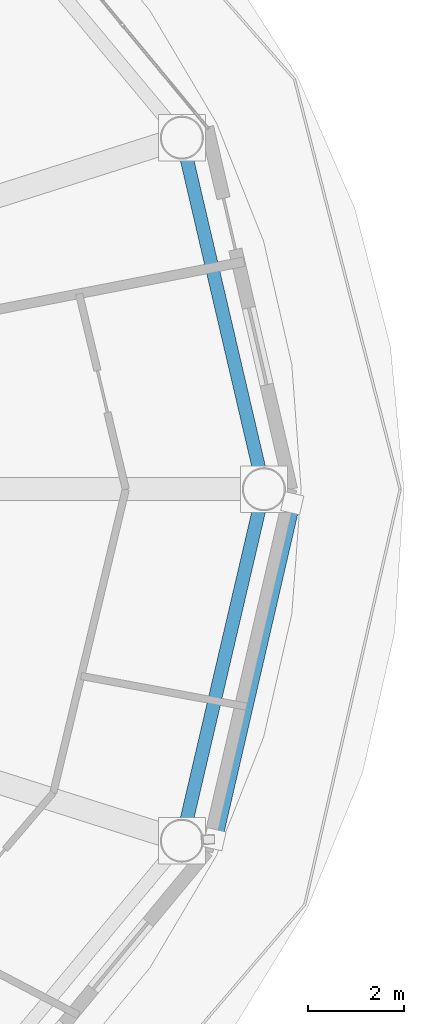
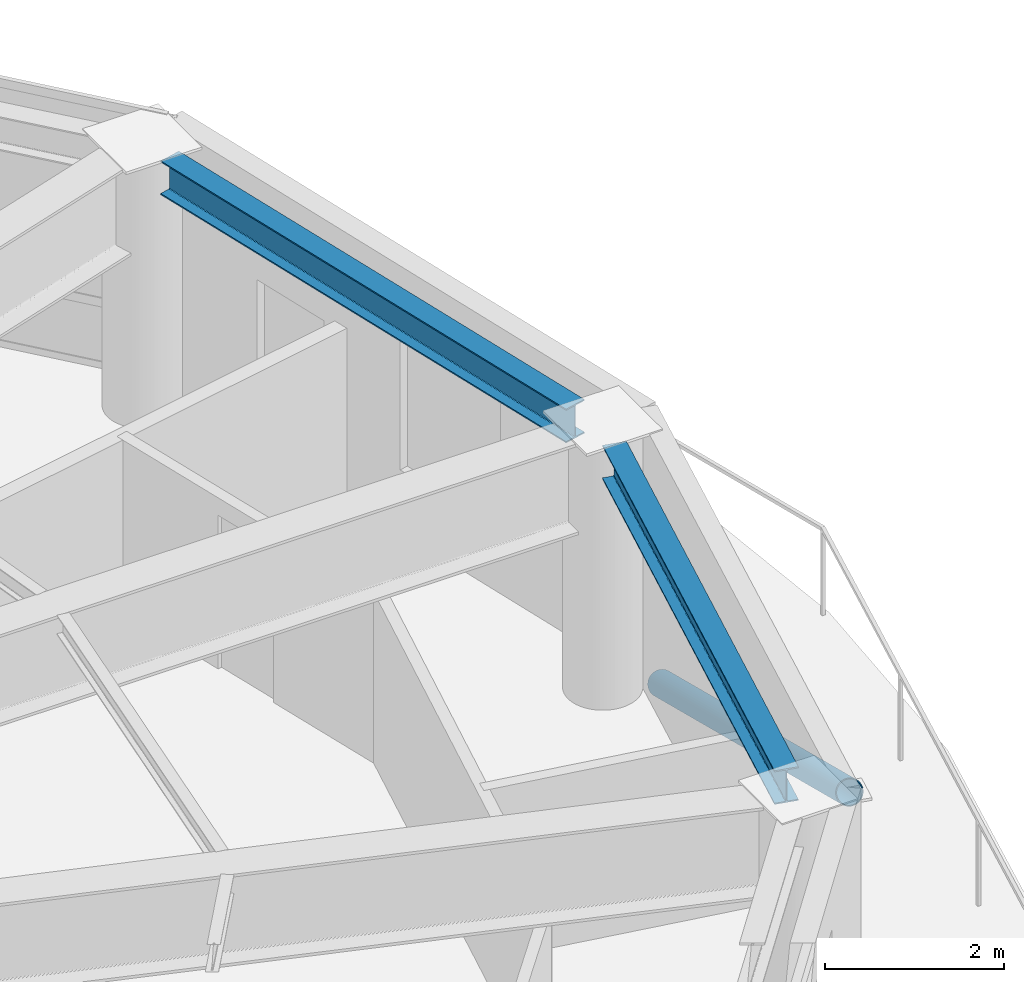
# One storey, part 10 of 24: 2 beams, 1 member.
"""IFC4 building model written with IfcOpenShell, lengths in metres."""

from ifc_helpers import new_model, si_unit, direction, frame, origin, origin_2d, place, context, subcontext, project, spatial, hollow_circle, i_section, extrude, material, material_profile, profile_set, type_object, element, save


model = new_model("IFC4")

# Units and contexts
model_context = context("Model", 3, precision=1e-05, world=origin(), true_north=direction((0.0, 1.0)))
body_context = subcontext(model_context, "Body", "Model", "MODEL_VIEW")
ifc_project = project(units=[si_unit("LENGTHUNIT", "METRE"), si_unit("AREAUNIT", "SQUARE_METRE"), si_unit("VOLUMEUNIT", "CUBIC_METRE"), si_unit("PLANEANGLEUNIT", "RADIAN"), si_unit("MASSUNIT", "GRAM", prefix="KILO")], contexts=[model_context])

# Site, building, storey
site_placement = place(None, origin())
site = spatial("IfcSite", under=ifc_project, at=site_placement, CompositionType="ELEMENT")
building_placement = place(site_placement, origin())
building = spatial("IfcBuilding", under=site, at=building_placement, Name="Sarneth Arch Tower", CompositionType="ELEMENT")
storey_placement = place(building_placement, frame((0.0, 0.0, 312.60009765625)))
storey = spatial("IfcBuildingStorey", under=building, at=storey_placement, Name="L81", CompositionType="ELEMENT", Elevation=312.60009765625)

# Beams
ifc_material_1 = material(Name="Steel S355", Category="steel")
ifc_material_profile_1 = material_profile(ifc_material_1, i_section(OverallWidth=0.280029296875, OverallDepth=0.462890625, WebThickness=0.0107421875, FlangeThickness=0.017333984375, FilletRadius=0.01806640625, at=origin_2d()), Name="W460x113")
ifc_profile_set_1 = profile_set([ifc_material_profile_1], Name="Steel S355")
beam_type = type_object("IfcBeamType", Name="BM-RAD-460A", PredefinedType="BEAM", material=ifc_profile_set_1)
for number, where, z_axis, x_axis, name in (
    (1, (72.781005859375, 42.438232421875, 3.408447265625), (-0.227247037844, 0.973837144389, 0.0), (-0.973837144389, -0.227247037844, 0.0), "L81 Perimeter spandrel beam 01"),
    (2, (71.27099609375, 35.0908203125, 3.408447265625), (0.227247037844, 0.973837144389, 0.0), (-0.973837144389, 0.227247037844, 0.0), "L81 Perimeter spandrel beam 16"),
):
    element("IfcBeam", number, at=place(storey_placement, frame(where, z_axis=z_axis, x_axis=x_axis)), inside=storey, type_object=beam_type, Name=name, PredefinedType="BEAM", context=body_context, shape_type="SweptSolid", body=[
        extrude(i_section(OverallWidth=0.280029296875, OverallDepth=0.462890625, WebThickness=0.0107421875, FlangeThickness=0.017333984375, FilletRadius=0.01806640625, at=origin_2d()), origin(), (0.0, 0.0, 1.0), 6.644775390625),
    ])

# Member
ifc_material_2 = material(Name="Steel S355", Category="steel")
ifc_material_profile_2 = material_profile(ifc_material_2, hollow_circle(Radius=0.162109375, WallThickness=0.012451171875, at=origin_2d()), Name="CHS324x12.5")
ifc_profile_set_2 = profile_set([ifc_material_profile_2], Name="Steel S355")
member_type = type_object("IfcMemberType", Name="MEM-DIAG-BR3", PredefinedType="BRACE", material=ifc_profile_set_2)
member_placement = place(storey_placement, frame((73.4765625, 41.707763671875, 0.02001953125), z_axis=(-0.204482137567, -0.88389746828, 0.420609463736), x_axis=(0.974268900284, -0.225388797281, 0.0)))
element("IfcMember", 3, at=member_placement, inside=storey, type_object=member_type, Name="L81 Perimeter frame diagonal 16", PredefinedType="BRACE", context=body_context, shape_type="SweptSolid", body=[
    extrude(hollow_circle(Radius=0.162109375, WallThickness=0.012451171875, at=origin_2d()), origin(), (0.0, 0.0, 1.0), 7.94580078125),
])

save(model, "model.ifc")
